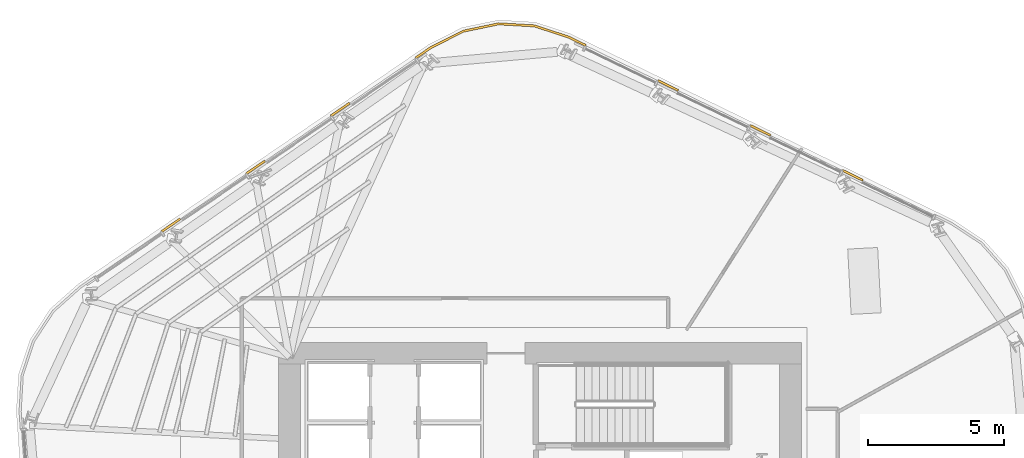
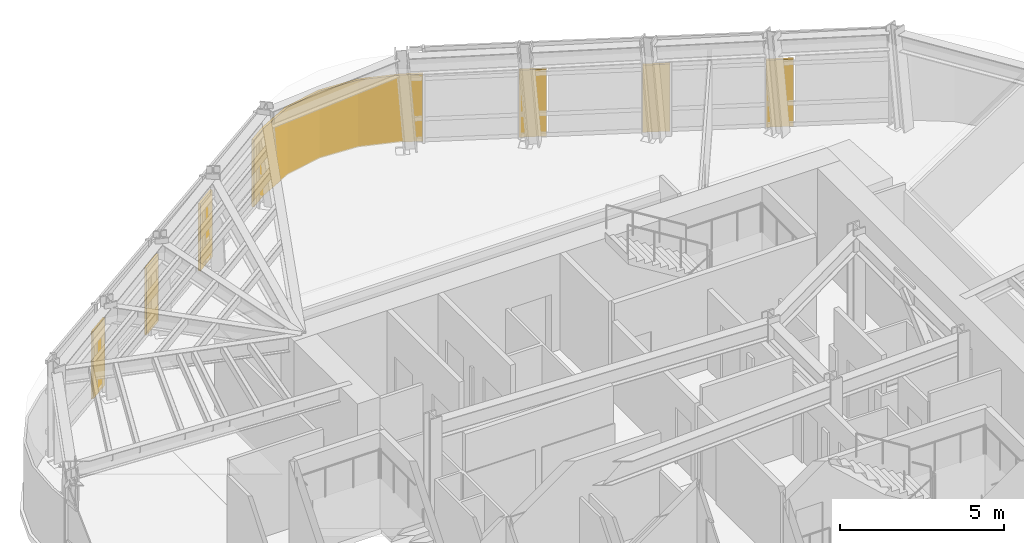
# One storey, part 14 of 15: 7 coverings.
"""IFC4 building model written with IfcOpenShell, lengths in metres."""

from ifc_helpers import new_model, si_unit, direction, frame, origin, place, context, subcontext, project, spatial, polyline, outline, extrude, material, layer, layer_set, type_object, element, save


model = new_model("IFC4")

# Units and contexts
model_context = context("Model", 3, precision=1e-05, world=origin(), true_north=direction((0.0, 1.0)))
body_context = subcontext(model_context, "Body", "Model", "MODEL_VIEW")
ifc_project = project(units=[si_unit("LENGTHUNIT", "METRE"), si_unit("AREAUNIT", "SQUARE_METRE"), si_unit("VOLUMEUNIT", "CUBIC_METRE"), si_unit("PLANEANGLEUNIT", "RADIAN"), si_unit("MASSUNIT", "GRAM", prefix="KILO")], contexts=[model_context])

# Site, building, storey
site_placement = place(None, origin())
site = spatial("IfcSite", under=ifc_project, at=site_placement, CompositionType="ELEMENT")
building_placement = place(site_placement, origin())
building = spatial("IfcBuilding", under=site, at=building_placement, Name="Valkerne Bourse Tower", CompositionType="ELEMENT")
storey_placement = place(building_placement, frame((0.0, 0.0, 170.39990234375)))
storey = spatial("IfcBuildingStorey", under=building, at=storey_placement, Name="L43", CompositionType="ELEMENT", Elevation=170.39990234375)

# Coverings
ifc_material = material(Name="Bronze Anodised Aluminium AA 6063-T6", Category="aluminium")
ifc_layer = layer(ifc_material, 0.06005859375)
ifc_layer_set = layer_set([ifc_layer], Name="Bronze Anodised Aluminium AA 6063-T6")
covering_type = type_object("IfcCoveringType", Name="COV-CRN-ALUM", PredefinedType="CLADDING", material=ifc_layer_set)
covering_1_placement = place(storey_placement, origin())
element("IfcCovering", 1, at=covering_1_placement, inside=storey, type_object=covering_type, Name="L43 Wind-Shaped Corner Aluminium Cladding 14", PredefinedType="CLADDING", context=body_context, shape_type="SweptSolid", body=[
    extrude(outline(polyline([(33.563720703125, 40.514892578125), (33.60888671875, 40.448486328125), (32.915283203125, 39.974609375), (32.8701171875, 40.040771484375), (33.563720703125, 40.514892578125)])), origin(), (0.0, 0.0, 1.0), 2.5),
])
covering_2_placement = place(storey_placement, origin())
element("IfcCovering", 2, at=covering_2_placement, inside=storey, type_object=covering_type, Name="L43 Wind-Shaped Corner Aluminium Cladding 15", PredefinedType="CLADDING", context=body_context, shape_type="SweptSolid", body=[
    extrude(outline(polyline([(36.67724609375, 42.642578125), (36.72216796875, 42.576416015625), (36.028564453125, 42.102294921875), (35.983642578125, 42.16845703125), (36.67724609375, 42.642578125)])), origin(), (0.0, 0.0, 1.0), 2.5),
])
covering_3_placement = place(storey_placement, origin())
element("IfcCovering", 3, at=covering_3_placement, inside=storey, type_object=covering_type, Name="L43 Wind-Shaped Corner Aluminium Cladding 16", PredefinedType="CLADDING", context=body_context, shape_type="SweptSolid", body=[
    extrude(outline(polyline([(39.79052734375, 44.770263671875), (39.835693359375, 44.7041015625), (39.14208984375, 44.22998046875), (39.09716796875, 44.296142578125), (39.79052734375, 44.770263671875)])), origin(), (0.0, 0.0, 1.0), 2.5),
])
covering_4_placement = place(storey_placement, origin())
element("IfcCovering", 4, at=covering_4_placement, inside=storey, type_object=covering_type, Name="L43 Wind-Shaped Corner Aluminium Cladding 17", PredefinedType="CLADDING", context=body_context, shape_type="SweptSolid", body=[
    extrude(outline(polyline([(42.782470703125, 46.814697265625), (43.9775390625, 47.415771484375), (45.281005859375, 47.685791015625), (46.60986328125, 47.60888671875), (47.8798828125, 47.189208984375), (48.502685546875, 46.885986328125), (48.468017578125, 46.81396484375), (47.849609375, 47.11474609375), (46.5947265625, 47.52978515625), (45.286865234375, 47.605224609375), (44.00390625, 47.339599609375), (42.8232421875, 46.74560546875), (42.25537109375, 46.357666015625), (42.21044921875, 46.423828125), (42.782470703125, 46.814697265625)])), origin(), (0.0, 0.0, 1.0), 2.5),
])
covering_5_placement = place(storey_placement, origin())
element("IfcCovering", 5, at=covering_5_placement, inside=storey, type_object=covering_type, Name="L43 Wind-Shaped Corner Aluminium Cladding 18", PredefinedType="CLADDING", context=body_context, shape_type="SweptSolid", body=[
    extrude(outline(polyline([(51.8935546875, 45.23583984375), (51.85888671875, 45.163818359375), (51.103515625, 45.531494140625), (51.13818359375, 45.603515625), (51.8935546875, 45.23583984375)])), origin(), (0.0, 0.0, 1.0), 2.5),
])
covering_6_placement = place(storey_placement, origin())
element("IfcCovering", 6, at=covering_6_placement, inside=storey, type_object=covering_type, Name="L43 Wind-Shaped Corner Aluminium Cladding 19", PredefinedType="CLADDING", context=body_context, shape_type="SweptSolid", body=[
    extrude(outline(polyline([(55.284423828125, 43.5859375), (55.24951171875, 43.513916015625), (54.494384765625, 43.88134765625), (54.529052734375, 43.95361328125), (55.284423828125, 43.5859375)])), origin(), (0.0, 0.0, 1.0), 2.5),
])
covering_7_placement = place(storey_placement, origin())
element("IfcCovering", 7, at=covering_7_placement, inside=storey, type_object=covering_type, Name="L43 Wind-Shaped Corner Aluminium Cladding 20", PredefinedType="CLADDING", context=body_context, shape_type="SweptSolid", body=[
    extrude(outline(polyline([(58.67529296875, 41.935791015625), (58.640380859375, 41.86376953125), (57.885009765625, 42.2314453125), (57.919921875, 42.303466796875), (58.67529296875, 41.935791015625)])), origin(), (0.0, 0.0, 1.0), 2.5),
])

save(model, "model.ifc")
